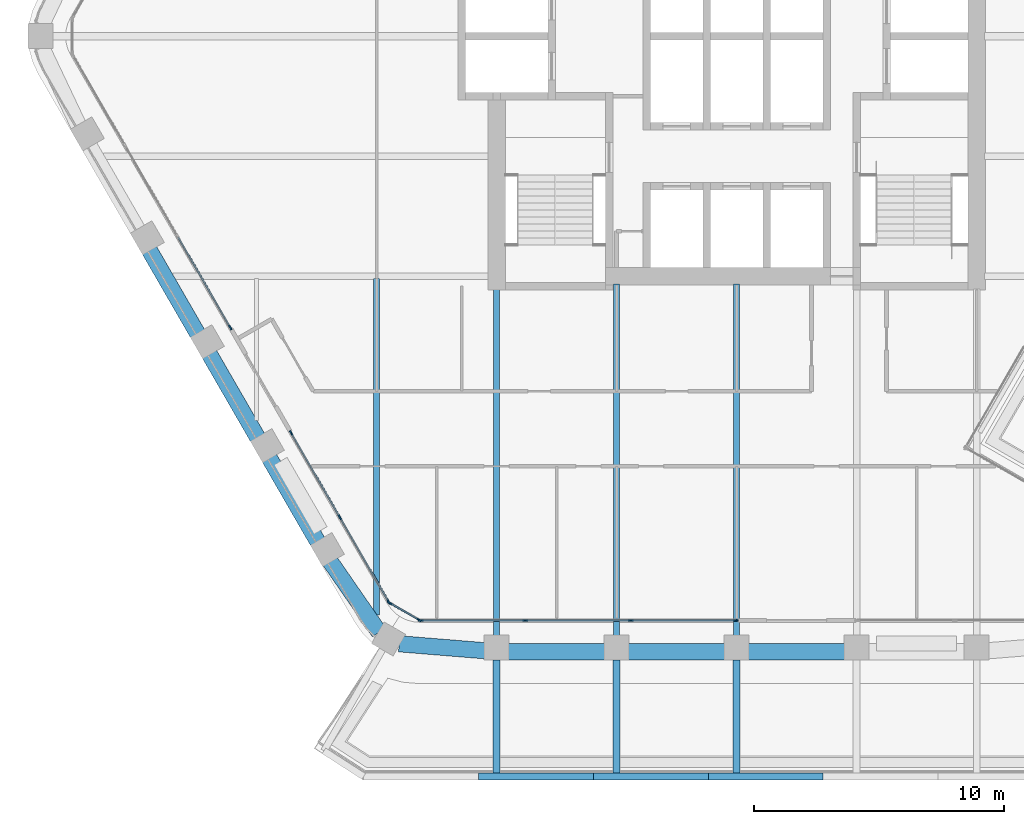
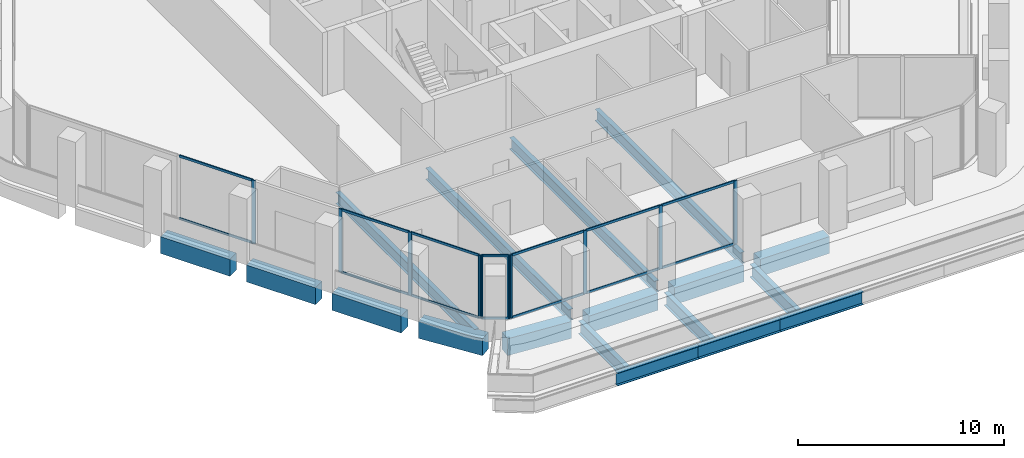
# One storey, part 2 of 17: 24 members, 18 beams, 4 elements without a shape of their own.
"""IFC4 building model written with IfcOpenShell, lengths in metres."""

from ifc_helpers import new_model, si_unit, direction, frame, origin, origin_2d, place, context, subcontext, project, spatial, rectangle, i_section, extrude, material, material_profile, profile_set, type_object, element, aggregate, save


model = new_model("IFC4")

# Units and contexts
model_context = context("Model", 3, precision=1e-05, world=origin(), true_north=direction((0.0, 1.0)))
body_context = subcontext(model_context, "Body", "Model", "MODEL_VIEW")
ifc_project = project(units=[si_unit("LENGTHUNIT", "METRE"), si_unit("AREAUNIT", "SQUARE_METRE"), si_unit("VOLUMEUNIT", "CUBIC_METRE"), si_unit("PLANEANGLEUNIT", "RADIAN"), si_unit("MASSUNIT", "GRAM", prefix="KILO")], contexts=[model_context])

# Site, building, storey
site_placement = place(None, origin())
site = spatial("IfcSite", under=ifc_project, at=site_placement, CompositionType="ELEMENT")
building_placement = place(site_placement, origin())
building = spatial("IfcBuilding", under=site, at=building_placement, Name="Kolab Exchange Tower", CompositionType="ELEMENT")
storey_placement = place(building_placement, frame((0.0, 0.0, 197.300048828125)))
storey = spatial("IfcBuildingStorey", under=building, at=storey_placement, Name="L42", CompositionType="ELEMENT", Elevation=197.300048828125)

# Beams
ifc_material_1 = material(Name="Steel S355", Category="steel")
ifc_material_profile_1 = material_profile(ifc_material_1, i_section(OverallWidth=0.25390625, OverallDepth=0.68408203125, WebThickness=0.012451171875, FlangeThickness=0.018798828125, at=origin_2d()), Name="W690X140")
ifc_profile_set_1 = profile_set([ifc_material_profile_1], Name="Steel S355")
beam_type_1 = type_object("IfcBeamType", Name="FLOOR BEAM W690X140", PredefinedType="BEAM", material=ifc_profile_set_1)
beam_1_placement = place(storey_placement, frame((-14.39990234375, -23.15576171875, -0.491943359375), z_axis=(0.0, 1.0, 0.0), x_axis=(-1.0, 0.0, 0.0)))
element("IfcBeam", 1, at=beam_1_placement, inside=storey, type_object=beam_type_1, Name="beam/L42/fr/005", PredefinedType="BEAM", context=body_context, shape_type="SweptSolid", body=[
    extrude(i_section(OverallWidth=0.25390625, OverallDepth=0.68408203125, WebThickness=0.012451171875, FlangeThickness=0.018798828125, at=origin_2d()), origin(), (0.0, 0.0, 1.0), 13.462158203125),
])
beam_2_placement = place(storey_placement, frame((-9.60009765625, -23.9814453125, -0.491943359375), z_axis=(0.0, 1.0, 0.0), x_axis=(-1.0, 0.0, 0.0)))
element("IfcBeam", 2, at=beam_2_placement, inside=storey, type_object=beam_type_1, Name="beam/L42/fr/007", PredefinedType="BEAM", context=body_context, shape_type="SweptSolid", body=[
    extrude(i_section(OverallWidth=0.25390625, OverallDepth=0.68408203125, WebThickness=0.012451171875, FlangeThickness=0.018798828125, at=origin_2d()), origin(), (0.0, 0.0, 1.0), 13.871337890625),
])
for number, where, z_axis, x_axis, name in (
    (3, (-4.800048828125, -23.9814453125, -0.491943359375), (0.0, 1.0, 0.0), (-1.0, 0.0, 0.0), "beam/L42/fr/009"),
    (4, (0.0, -23.9814453125, -0.491943359375), (0.0, 1.0, 0.0), (-1.0, 0.0, 0.0), "beam/L42/fr/011"),
):
    element("IfcBeam", number, at=place(storey_placement, frame(where, z_axis=z_axis, x_axis=x_axis)), inside=storey, type_object=beam_type_1, Name=name, PredefinedType="BEAM", context=body_context, shape_type="SweptSolid", body=[
        extrude(i_section(OverallWidth=0.25390625, OverallDepth=0.68408203125, WebThickness=0.012451171875, FlangeThickness=0.018798828125, at=origin_2d()), origin(), (0.0, 0.0, 1.0), 14.071533203125),
    ])
ifc_material_profile_2 = material_profile(ifc_material_1, i_section(OverallWidth=0.26708984375, OverallDepth=0.761962890625, WebThickness=0.014404296875, FlangeThickness=0.021484375, at=origin_2d()), Name="W760X173")
ifc_profile_set_2 = profile_set([ifc_material_profile_2], Name="Steel S355")
beam_type_2 = type_object("IfcBeamType", Name="FLOOR GIRDER W760X173", PredefinedType="BEAM", material=ifc_profile_set_2)
for number, where, z_axis, x_axis, name in (
    (5, (0.0, -24.94140625, -0.591064453125), (0.0, -1.0, 0.0), (1.0, 0.0, 0.0), "beam/L42/ledge/rib-09"),
    (6, (-4.800048828125, -24.94140625, -0.591064453125), (0.0, -1.0, 0.0), (1.0, 0.0, 0.0), "beam/L42/ledge/rib-10"),
    (7, (-9.60009765625, -24.94140625, -0.591064453125), (0.0, -1.0, 0.0), (1.0, 0.0, 0.0), "beam/L42/ledge/rib-11"),
):
    element("IfcBeam", number, at=place(storey_placement, frame(where, z_axis=z_axis, x_axis=x_axis)), inside=storey, type_object=beam_type_2, Name=name, PredefinedType="BEAM", context=body_context, shape_type="SweptSolid", body=[
        extrude(i_section(OverallWidth=0.26708984375, OverallDepth=0.761962890625, WebThickness=0.014404296875, FlangeThickness=0.021484375, at=origin_2d()), origin(), (0.0, 0.0, 1.0), 4.533203125),
    ])
beam_3_placement = place(storey_placement, frame((3.462890625, -29.60791015625, -0.591064453125), z_axis=(-1.0, 0.0, 0.0), x_axis=(0.0, -1.0, 0.0)))
element("IfcBeam", 8, at=beam_3_placement, inside=storey, type_object=beam_type_2, Name="beam/L42/ledge/edge-11", PredefinedType="BEAM", context=body_context, shape_type="SweptSolid", body=[
    extrude(i_section(OverallWidth=0.26708984375, OverallDepth=0.761962890625, WebThickness=0.014404296875, FlangeThickness=0.021484375, at=origin_2d()), origin(), (0.0, 0.0, 1.0), 4.593505859375),
])
for number, where, z_axis, x_axis, name in (
    (9, (-1.130615234375, -29.60791015625, -0.591064453125), (-1.0, 0.0, 0.0), (0.0, -1.0, 0.0), "beam/L42/ledge/edge-12"),
    (10, (-5.724365234375, -29.60791015625, -0.591064453125), (-1.0, 0.0, 0.0), (0.0, -1.0, 0.0), "beam/L42/ledge/edge-13"),
):
    element("IfcBeam", number, at=place(storey_placement, frame(where, z_axis=z_axis, x_axis=x_axis)), inside=storey, type_object=beam_type_2, Name=name, PredefinedType="BEAM", context=body_context, shape_type="SweptSolid", body=[
        extrude(i_section(OverallWidth=0.26708984375, OverallDepth=0.761962890625, WebThickness=0.014404296875, FlangeThickness=0.021484375, at=origin_2d()), origin(), (0.0, 0.0, 1.0), 4.59375),
    ])
ifc_material_2 = material(Name="Concrete C60/75", Category="concrete")
ifc_material_profile_3 = material_profile(ifc_material_2, rectangle(XDim=0.64990234375, YDim=1.0, at=origin_2d()), Name="RC650X1000")
ifc_profile_set_3 = profile_set([ifc_material_profile_3], Name="Concrete C60/75")
beam_type_3 = type_object("IfcBeamType", Name="SPANDREL BEAM 650X1000 C60/75", PredefinedType="BEAM", material=ifc_profile_set_3)
for number, where, z_axis, x_axis, name in (
    (11, (4.340087890625, -24.616455078125, -0.650146484375), (-1.0, 0.0, 0.0), (0.0, -1.0, 0.0), "beam/L42/sp/F4-03"),
    (12, (-0.4599609375, -24.616455078125, -0.650146484375), (-1.0, 0.0, 0.0), (0.0, -1.0, 0.0), "beam/L42/sp/F4-04"),
):
    element("IfcBeam", number, at=place(storey_placement, frame(where, z_axis=z_axis, x_axis=x_axis)), inside=storey, type_object=beam_type_3, Name=name, PredefinedType="BEAM", context=body_context, shape_type="SweptSolid", body=[
        extrude(rectangle(XDim=0.64990234375, YDim=1.0, at=origin_2d()), origin(), (0.0, 0.0, 1.0), 3.880126953125),
    ])
beam_4_placement = place(storey_placement, frame((-5.260009765625, -24.616455078125, -0.650146484375), z_axis=(-1.0, 0.0, 0.0), x_axis=(0.0, -1.0, 0.0)))
element("IfcBeam", 13, at=beam_4_placement, inside=storey, type_object=beam_type_3, Name="beam/L42/sp/F4-05", PredefinedType="BEAM", context=body_context, shape_type="SweptSolid", body=[
    extrude(rectangle(XDim=0.64990234375, YDim=1.0, at=origin_2d()), origin(), (0.0, 0.0, 1.0), 3.8798828125),
])
for number, where, z_axis, x_axis, name in (
    (14, (-10.06005859375, -24.5791015625, -0.650146484375), (-0.996708497182, 0.081068931445, 0.0), (-0.081068931445, -0.996708497182, 0.0), "beam/L42/sp/F4-06"),
    (15, (-14.29736328125, -23.8359375, -0.650146484375), (-0.568572281073, 0.822633309073, 0.0), (-0.822633309073, -0.568572281073, 0.0), "beam/L42/sp/F5-01"),
):
    element("IfcBeam", number, at=place(storey_placement, frame(where, z_axis=z_axis, x_axis=x_axis)), inside=storey, type_object=beam_type_3, Name=name, PredefinedType="BEAM", context=body_context, shape_type="SweptSolid", body=[
        extrude(rectangle(XDim=0.64990234375, YDim=1.0, at=origin_2d()), origin(), (0.0, 0.0, 1.0), 3.445068359375),
    ])
beam_5_placement = place(storey_placement, frame((-16.74853515625, -20.2236328125, -0.650146484375), z_axis=(-0.499996613652, 0.866027358884, 0.0), x_axis=(-0.866027358884, -0.499996613652, 0.0)))
element("IfcBeam", 16, at=beam_5_placement, inside=storey, type_object=beam_type_3, Name="beam/L42/sp/F5-02", PredefinedType="BEAM", context=body_context, shape_type="SweptSolid", body=[
    extrude(rectangle(XDim=0.64990234375, YDim=1.0, at=origin_2d()), origin(), (0.0, 0.0, 1.0), 3.8798828125),
])
beam_6_placement = place(storey_placement, frame((-19.1484375, -16.06689453125, -0.650146484375), z_axis=(-0.50001655835, 0.866015843605, 0.0), x_axis=(-0.866015843605, -0.50001655835, 0.0)))
element("IfcBeam", 17, at=beam_6_placement, inside=storey, type_object=beam_type_3, Name="beam/L42/sp/F5-03", PredefinedType="BEAM", context=body_context, shape_type="SweptSolid", body=[
    extrude(rectangle(XDim=0.64990234375, YDim=1.0, at=origin_2d()), origin(), (0.0, 0.0, 1.0), 3.880126953125),
])
beam_7_placement = place(storey_placement, frame((-21.548583984375, -11.909912109375, -0.650146484375), z_axis=(-0.499996613652, 0.866027358884, 0.0), x_axis=(-0.866027358884, -0.499996613652, 0.0)))
element("IfcBeam", 18, at=beam_7_placement, inside=storey, type_object=beam_type_3, Name="beam/L42/sp/F5-04", PredefinedType="BEAM", context=body_context, shape_type="SweptSolid", body=[
    extrude(rectangle(XDim=0.64990234375, YDim=1.0, at=origin_2d()), origin(), (0.0, 0.0, 1.0), 3.8798828125),
])

# Curtain wall, members
ifc_material_3 = material(Name="Aluminium EN AW-6063 T6", Category="aluminium")
curtain_wall_type = type_object("IfcCurtainWallType", Name="UNITISED UPPER MID ZONE CURTAIN WALL", PredefinedType="NOTDEFINED", material=ifc_material_3)
curtain_wall_1_placement = place(storey_placement, origin())
curtain_wall_1 = element("IfcCurtainWall", 19, at=curtain_wall_1_placement, inside=storey, type_object=curtain_wall_type, Name="cw/L42/F4-2", PredefinedType="NOTDEFINED")
ifc_material_profile_4 = material_profile(ifc_material_3, rectangle(XDim=0.06005859375, YDim=0.199951171875, at=origin_2d()), Name="RECT 60X200")
ifc_profile_set_4 = profile_set([ifc_material_profile_4], Name="Aluminium EN AW-6063 T6")
member_type_1 = type_object("IfcMemberType", Name="UNITISED UPPER MID ZONE MULLION 60 X 200", PredefinedType="MULLION", material=ifc_profile_set_4)
member_1_placement = place(storey_placement, frame((-0.030029296875, -23.361572265625, 0.0), z_axis=(0.0, 0.0, 1.0), x_axis=(0.0, -1.0, 0.0)))
member_1 = element("IfcMember", 20, at=member_1_placement, type_object=member_type_1, Name="CW3 mullion 1", PredefinedType="MULLION", context=body_context, shape_type="SweptSolid", body=[
    extrude(rectangle(XDim=0.06005859375, YDim=0.199951171875, at=origin_2d()), origin(), (0.0, 0.0, 1.0), 3.75),
])
member_2_placement = place(storey_placement, frame((-4.22265625, -23.361572265625, 0.0), z_axis=(0.0, 0.0, 1.0), x_axis=(0.0, -1.0, 0.0)))
member_2 = element("IfcMember", 21, at=member_2_placement, type_object=member_type_1, Name="CW3 mullion 2", PredefinedType="MULLION", context=body_context, shape_type="SweptSolid", body=[
    extrude(rectangle(XDim=0.06005859375, YDim=0.199951171875, at=origin_2d()), origin(), (0.0, 0.0, 1.0), 3.75),
])
member_3_placement = place(storey_placement, frame((-8.4453125, -23.361572265625, 0.0), z_axis=(0.0, 0.0, 1.0), x_axis=(0.0, -1.0, 0.0)))
member_3 = element("IfcMember", 22, at=member_3_placement, type_object=member_type_1, Name="CW3 mullion 3", PredefinedType="MULLION", context=body_context, shape_type="SweptSolid", body=[
    extrude(rectangle(XDim=0.06005859375, YDim=0.199951171875, at=origin_2d()), origin(), (0.0, 0.0, 1.0), 3.75),
])
member_4_placement = place(storey_placement, frame((-12.637939453125, -23.361572265625, 0.0), z_axis=(0.0, 0.0, 1.0), x_axis=(0.0, -1.0, 0.0)))
member_4 = element("IfcMember", 23, at=member_4_placement, type_object=member_type_1, Name="CW3 mullion 4", PredefinedType="MULLION", context=body_context, shape_type="SweptSolid", body=[
    extrude(rectangle(XDim=0.06005859375, YDim=0.199951171875, at=origin_2d()), origin(), (0.0, 0.0, 1.0), 3.75),
])

curtain_wall_2_placement = place(storey_placement, origin())
curtain_wall_2 = element("IfcCurtainWall", 24, at=curtain_wall_2_placement, inside=storey, type_object=curtain_wall_type, Name="cw/L42/F5-1", PredefinedType="NOTDEFINED")
member_5_placement = place(storey_placement, frame((-13.91259765625, -22.62548828125, 0.0), z_axis=(0.0, 0.0, 1.0), x_axis=(-0.866025385493, -0.500000031681, 0.0)))
member_5 = element("IfcMember", 25, at=member_5_placement, type_object=member_type_1, Name="CW3 mullion 1", PredefinedType="MULLION", context=body_context, shape_type="SweptSolid", body=[
    extrude(rectangle(XDim=0.06005859375, YDim=0.199951171875, at=origin_2d()), origin(), (0.0, 0.0, 1.0), 3.75),
])
member_6_placement = place(storey_placement, frame((-15.86474609375, -19.24462890625, 0.0), z_axis=(0.0, 0.0, 1.0), x_axis=(-0.866025385493, -0.500000031681, 0.0)))
member_6 = element("IfcMember", 26, at=member_6_placement, type_object=member_type_1, Name="CW3 mullion 2", PredefinedType="MULLION", context=body_context, shape_type="SweptSolid", body=[
    extrude(rectangle(XDim=0.06005859375, YDim=0.199951171875, at=origin_2d()), origin(), (0.0, 0.0, 1.0), 3.75),
])
member_7_placement = place(storey_placement, frame((-17.816650390625, -15.86376953125, 0.0), z_axis=(0.0, 0.0, 1.0), x_axis=(-0.866025385493, -0.500000031681, 0.0)))
member_7 = element("IfcMember", 27, at=member_7_placement, type_object=member_type_1, Name="CW3 mullion 3", PredefinedType="MULLION", context=body_context, shape_type="SweptSolid", body=[
    extrude(rectangle(XDim=0.06005859375, YDim=0.199951171875, at=origin_2d()), origin(), (0.0, 0.0, 1.0), 3.75),
])

# Curtain wall, member
curtain_wall_3_placement = place(storey_placement, origin())
curtain_wall_3 = element("IfcCurtainWall", 28, at=curtain_wall_3_placement, inside=storey, type_object=curtain_wall_type, Name="cw/L42/F5-2", PredefinedType="NOTDEFINED")
member_8_placement = place(storey_placement, frame((-20.24658203125, -11.65478515625, 0.0), z_axis=(0.0, 0.0, 1.0), x_axis=(-0.866025427826, -0.499999958358, 0.0)))
member_8 = element("IfcMember", 29, at=member_8_placement, type_object=member_type_1, Name="CW3 mullion 1", PredefinedType="MULLION", context=body_context, shape_type="SweptSolid", body=[
    extrude(rectangle(XDim=0.06005859375, YDim=0.199951171875, at=origin_2d()), origin(), (0.0, 0.0, 1.0), 3.75),
])

# Curtain wall, members
curtain_wall_4_placement = place(storey_placement, origin())
curtain_wall_4 = element("IfcCurtainWall", 30, at=curtain_wall_4_placement, inside=storey, type_object=curtain_wall_type, Name="cw/L42/F4F5-corner", PredefinedType="NOTDEFINED")
member_9_placement = place(storey_placement, frame((-12.69384765625, -23.346435546875, 0.0), z_axis=(0.0, 0.0, 1.0), x_axis=(-0.50000002237, -0.866025390869, 0.0)))
member_9 = element("IfcMember", 31, at=member_9_placement, type_object=member_type_1, Name="CW3 mullion 1", PredefinedType="MULLION", context=body_context, shape_type="SweptSolid", body=[
    extrude(rectangle(XDim=0.06005859375, YDim=0.199951171875, at=origin_2d()), origin(), (0.0, 0.0, 1.0), 3.75),
])
member_10_placement = place(storey_placement, frame((-13.871826171875, -22.66650390625, 0.0), z_axis=(0.0, 0.0, 1.0), x_axis=(-0.50000002237, -0.866025390869, 0.0)))
member_10 = element("IfcMember", 32, at=member_10_placement, type_object=member_type_1, Name="CW3 mullion 2", PredefinedType="MULLION", context=body_context, shape_type="SweptSolid", body=[
    extrude(rectangle(XDim=0.06005859375, YDim=0.199951171875, at=origin_2d()), origin(), (0.0, 0.0, 1.0), 3.75),
])

# Member
ifc_material_profile_5 = material_profile(ifc_material_3, rectangle(XDim=0.06005859375, YDim=0.139892578125, at=origin_2d()), Name="RECT 60X140")
ifc_profile_set_5 = profile_set([ifc_material_profile_5], Name="Aluminium EN AW-6063 T6")
member_type_2 = type_object("IfcMemberType", Name="UNITISED UPPER MID ZONE TRANSOM 60 X 140", PredefinedType="USERDEFINED", material=ifc_profile_set_5)
member_11_placement = place(storey_placement, frame((-0.06005859375, -23.361572265625, 0.030029296875), z_axis=(-1.0, 0.0, 0.0), x_axis=(0.0, -1.0, 0.0)))
member_11 = element("IfcMember", 33, at=member_11_placement, type_object=member_type_2, Name="CW3 transom 1.1", ObjectType="TRANSOM", PredefinedType="USERDEFINED", context=body_context, shape_type="SweptSolid", body=[
    extrude(rectangle(XDim=0.06005859375, YDim=0.139892578125, at=origin_2d()), origin(), (0.0, 0.0, 1.0), 4.132568359375),
])

member_12_placement = place(storey_placement, frame((-0.06005859375, -23.361572265625, 3.719970703125), z_axis=(-1.0, 0.0, 0.0), x_axis=(0.0, -1.0, 0.0)))
member_12 = element("IfcMember", 34, at=member_12_placement, type_object=member_type_2, Name="CW3 transom 1.2", ObjectType="TRANSOM", PredefinedType="USERDEFINED", context=body_context, shape_type="SweptSolid", body=[
    extrude(rectangle(XDim=0.06005859375, YDim=0.139892578125, at=origin_2d()), origin(), (0.0, 0.0, 1.0), 4.132568359375),
])

member_13_placement = place(storey_placement, frame((-4.252685546875, -23.361572265625, 0.030029296875), z_axis=(-1.0, 0.0, 0.0), x_axis=(0.0, -1.0, 0.0)))
member_13 = element("IfcMember", 35, at=member_13_placement, type_object=member_type_2, Name="CW3 transom 2.1", ObjectType="TRANSOM", PredefinedType="USERDEFINED", context=body_context, shape_type="SweptSolid", body=[
    extrude(rectangle(XDim=0.06005859375, YDim=0.139892578125, at=origin_2d()), origin(), (0.0, 0.0, 1.0), 4.16259765625),
])

member_14_placement = place(storey_placement, frame((-4.252685546875, -23.361572265625, 3.719970703125), z_axis=(-1.0, 0.0, 0.0), x_axis=(0.0, -1.0, 0.0)))
member_14 = element("IfcMember", 36, at=member_14_placement, type_object=member_type_2, Name="CW3 transom 2.2", ObjectType="TRANSOM", PredefinedType="USERDEFINED", context=body_context, shape_type="SweptSolid", body=[
    extrude(rectangle(XDim=0.06005859375, YDim=0.139892578125, at=origin_2d()), origin(), (0.0, 0.0, 1.0), 4.16259765625),
])

member_15_placement = place(storey_placement, frame((-8.475341796875, -23.361572265625, 0.030029296875), z_axis=(-1.0, 0.0, 0.0), x_axis=(0.0, -1.0, 0.0)))
member_15 = element("IfcMember", 37, at=member_15_placement, type_object=member_type_2, Name="CW3 transom 3.1", ObjectType="TRANSOM", PredefinedType="USERDEFINED", context=body_context, shape_type="SweptSolid", body=[
    extrude(rectangle(XDim=0.06005859375, YDim=0.139892578125, at=origin_2d()), origin(), (0.0, 0.0, 1.0), 4.132568359375),
])

member_16_placement = place(storey_placement, frame((-8.475341796875, -23.361572265625, 3.719970703125), z_axis=(-1.0, 0.0, 0.0), x_axis=(0.0, -1.0, 0.0)))
member_16 = element("IfcMember", 38, at=member_16_placement, type_object=member_type_2, Name="CW3 transom 3.2", ObjectType="TRANSOM", PredefinedType="USERDEFINED", context=body_context, shape_type="SweptSolid", body=[
    extrude(rectangle(XDim=0.06005859375, YDim=0.139892578125, at=origin_2d()), origin(), (0.0, 0.0, 1.0), 4.132568359375),
])

aggregate(curtain_wall_1, [member_1, member_2, member_3, member_4, member_11, member_12, member_13, member_14, member_15, member_16])

member_17_placement = place(storey_placement, frame((-13.927734375, -22.599609375, 0.030029296875), z_axis=(-0.499964356602, 0.866045981532, 0.0), x_axis=(-0.866045981532, -0.499964356602, 0.0)))
member_17 = element("IfcMember", 39, at=member_17_placement, type_object=member_type_2, Name="CW3 transom 1.1", ObjectType="TRANSOM", PredefinedType="USERDEFINED", context=body_context, shape_type="SweptSolid", body=[
    extrude(rectangle(XDim=0.06005859375, YDim=0.139892578125, at=origin_2d()), origin(), (0.0, 0.0, 1.0), 3.843994140625),
])

member_18_placement = place(storey_placement, frame((-13.927734375, -22.599609375, 3.719970703125), z_axis=(-0.499964356602, 0.866045981532, 0.0), x_axis=(-0.866045981532, -0.499964356602, 0.0)))
member_18 = element("IfcMember", 40, at=member_18_placement, type_object=member_type_2, Name="CW3 transom 1.2", ObjectType="TRANSOM", PredefinedType="USERDEFINED", context=body_context, shape_type="SweptSolid", body=[
    extrude(rectangle(XDim=0.06005859375, YDim=0.139892578125, at=origin_2d()), origin(), (0.0, 0.0, 1.0), 3.843994140625),
])

member_19_placement = place(storey_placement, frame((-15.879638671875, -19.21875, 0.030029296875), z_axis=(-0.500011990396, 0.866018481016, 0.0), x_axis=(-0.866018481016, -0.500011990396, 0.0)))
member_19 = element("IfcMember", 41, at=member_19_placement, type_object=member_type_2, Name="CW3 transom 2.1", ObjectType="TRANSOM", PredefinedType="USERDEFINED", context=body_context, shape_type="SweptSolid", body=[
    extrude(rectangle(XDim=0.06005859375, YDim=0.139892578125, at=origin_2d()), origin(), (0.0, 0.0, 1.0), 3.84423828125),
])

member_20_placement = place(storey_placement, frame((-15.879638671875, -19.21875, 3.719970703125), z_axis=(-0.500011990396, 0.866018481016, 0.0), x_axis=(-0.866018481016, -0.500011990396, 0.0)))
member_20 = element("IfcMember", 42, at=member_20_placement, type_object=member_type_2, Name="CW3 transom 2.2", ObjectType="TRANSOM", PredefinedType="USERDEFINED", context=body_context, shape_type="SweptSolid", body=[
    extrude(rectangle(XDim=0.06005859375, YDim=0.139892578125, at=origin_2d()), origin(), (0.0, 0.0, 1.0), 3.84423828125),
])

aggregate(curtain_wall_2, [member_5, member_6, member_7, member_17, member_18, member_19, member_20])

member_21_placement = place(storey_placement, frame((-20.26171875, -11.62890625, 0.030029296875), z_axis=(-0.500001996123, 0.866024251319, 0.0), x_axis=(-0.866024251319, -0.500001996123, 0.0)))
member_21 = element("IfcMember", 43, at=member_21_placement, type_object=member_type_2, Name="CW3 transom 1.1", ObjectType="TRANSOM", PredefinedType="USERDEFINED", context=body_context, shape_type="SweptSolid", body=[
    extrude(rectangle(XDim=0.06005859375, YDim=0.139892578125, at=origin_2d()), origin(), (0.0, 0.0, 1.0), 4.1328125),
])

member_22_placement = place(storey_placement, frame((-20.26171875, -11.62890625, 3.719970703125), z_axis=(-0.500001996123, 0.866024251319, 0.0), x_axis=(-0.866024251319, -0.500001996123, 0.0)))
member_22 = element("IfcMember", 44, at=member_22_placement, type_object=member_type_2, Name="CW3 transom 1.2", ObjectType="TRANSOM", PredefinedType="USERDEFINED", context=body_context, shape_type="SweptSolid", body=[
    extrude(rectangle(XDim=0.06005859375, YDim=0.139892578125, at=origin_2d()), origin(), (0.0, 0.0, 1.0), 4.1328125),
])

aggregate(curtain_wall_3, [member_8, member_21, member_22])

member_23_placement = place(storey_placement, frame((-12.719970703125, -23.33154296875, 0.030029296875), z_axis=(-0.86603858612, 0.49997716683, 0.0), x_axis=(-0.49997716683, -0.86603858612, 0.0)))
member_23 = element("IfcMember", 45, at=member_23_placement, type_object=member_type_2, Name="CW3 transom 1.1", ObjectType="TRANSOM", PredefinedType="USERDEFINED", context=body_context, shape_type="SweptSolid", body=[
    extrude(rectangle(XDim=0.06005859375, YDim=0.139892578125, at=origin_2d()), origin(), (0.0, 0.0, 1.0), 1.2998046875),
])

member_24_placement = place(storey_placement, frame((-12.719970703125, -23.33154296875, 3.719970703125), z_axis=(-0.86603858612, 0.49997716683, 0.0), x_axis=(-0.49997716683, -0.86603858612, 0.0)))
member_24 = element("IfcMember", 46, at=member_24_placement, type_object=member_type_2, Name="CW3 transom 1.2", ObjectType="TRANSOM", PredefinedType="USERDEFINED", context=body_context, shape_type="SweptSolid", body=[
    extrude(rectangle(XDim=0.06005859375, YDim=0.139892578125, at=origin_2d()), origin(), (0.0, 0.0, 1.0), 1.2998046875),
])

aggregate(curtain_wall_4, [member_9, member_10, member_23, member_24])

save(model, "model.ifc")
